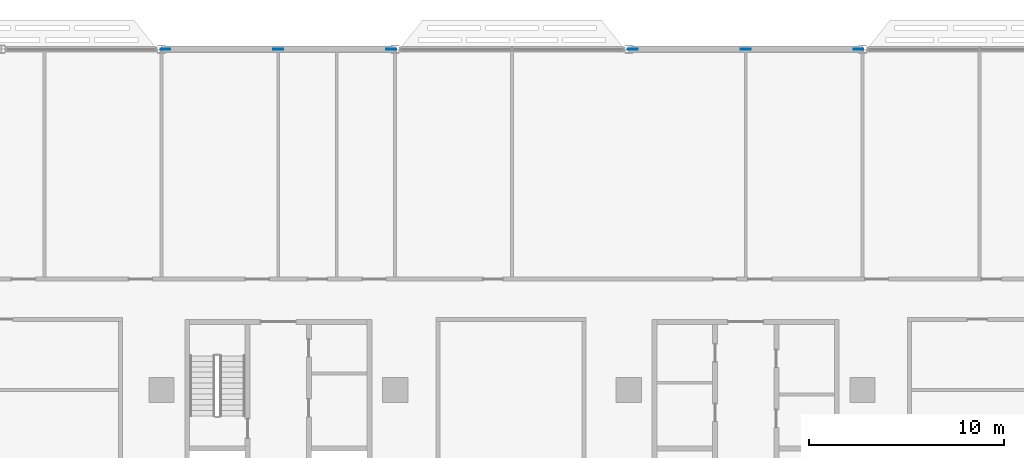
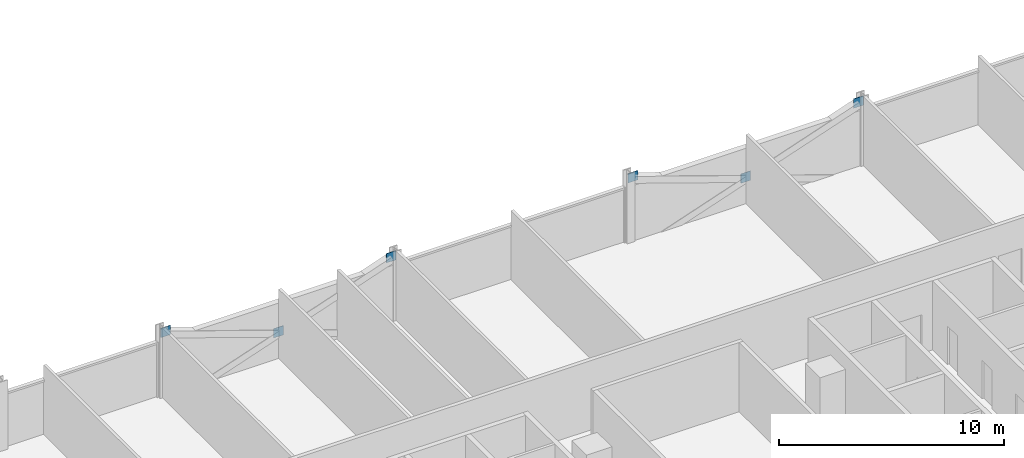
# One storey, part 21 of 28: 6 discrete accessories.
"""IFC4 building model written with IfcOpenShell, lengths in metres."""

from ifc_helpers import new_model, si_unit, direction, frame, origin, origin_2d, place, context, subcontext, project, spatial, rectangle, extrude, material, layer, layer_set, type_object, element, save


model = new_model("IFC4")

# Units and contexts
model_context = context("Model", 3, precision=1e-05, world=origin(), true_north=direction((0.0, 1.0)))
body_context = subcontext(model_context, "Body", "Model", "MODEL_VIEW")
ifc_project = project(units=[si_unit("LENGTHUNIT", "METRE"), si_unit("AREAUNIT", "SQUARE_METRE"), si_unit("VOLUMEUNIT", "CUBIC_METRE"), si_unit("PLANEANGLEUNIT", "RADIAN"), si_unit("MASSUNIT", "GRAM", prefix="KILO")], contexts=[model_context])

# Site, building, storey
site_placement = place(None, origin())
site = spatial("IfcSite", under=ifc_project, at=site_placement, CompositionType="ELEMENT")
building_placement = place(site_placement, origin())
building = spatial("IfcBuilding", under=site, at=building_placement, Name="Mahtab Terrace Research Tower", CompositionType="ELEMENT")
storey_placement = place(building_placement, frame((0.0, 0.0, 130.199951171875)))
storey = spatial("IfcBuildingStorey", under=building, at=storey_placement, Name="L30", CompositionType="ELEMENT", Elevation=130.199951171875)

# Discrete accessories
ifc_material = material(Name="Steel ASTM A992 Gr 50", Category="steel")
ifc_layer = layer(ifc_material, 0.030029296875)
ifc_layer_set = layer_set([ifc_layer], Name="Gusset plate 500x500x30")
discrete_accessory_type = type_object("IfcDiscreteAccessoryType", Name="Gusset plate 500x500x30", PredefinedType="USERDEFINED", material=ifc_layer_set)
for number, where, z_axis, x_axis, name in (
    (1, (-29.794189453125, 29.0, 3.131591796875), (0.0, 0.0, 1.0), (1.0, 0.0, 0.0), "Gusset plate"),
    (2, (-24.0, 29.0, 1.08154296875), (0.0, 0.0, 1.0), (1.0, 0.0, 0.0), "Gusset plate"),
    (3, (-18.205810546875, 29.0, 3.131591796875), (0.0, 0.0, 1.0), (1.0, 0.0, 0.0), "Gusset plate"),
    (4, (-5.794189453125, 29.0, 3.131591796875), (0.0, 0.0, 1.0), (1.0, 0.0, 0.0), "Gusset plate"),
    (5, (0.0, 29.0, 1.08154296875), (0.0, 0.0, 1.0), (1.0, 0.0, 0.0), "Gusset plate"),
    (6, (5.794189453125, 29.0, 3.131591796875), (0.0, 0.0, 1.0), (1.0, 0.0, 0.0), "Gusset plate"),
):
    element("IfcDiscreteAccessory", number, at=place(storey_placement, frame(where, z_axis=z_axis, x_axis=x_axis)), inside=storey, type_object=discrete_accessory_type, Name=name, ObjectType="GUSSET PLATE", PredefinedType="USERDEFINED", context=body_context, shape_type="SweptSolid", body=[
        extrude(rectangle(XDim=0.5, YDim=0.030029296875, at=origin_2d()), origin(), (0.0, 0.0, 1.0), 0.5),
    ])

save(model, "model.ifc")
